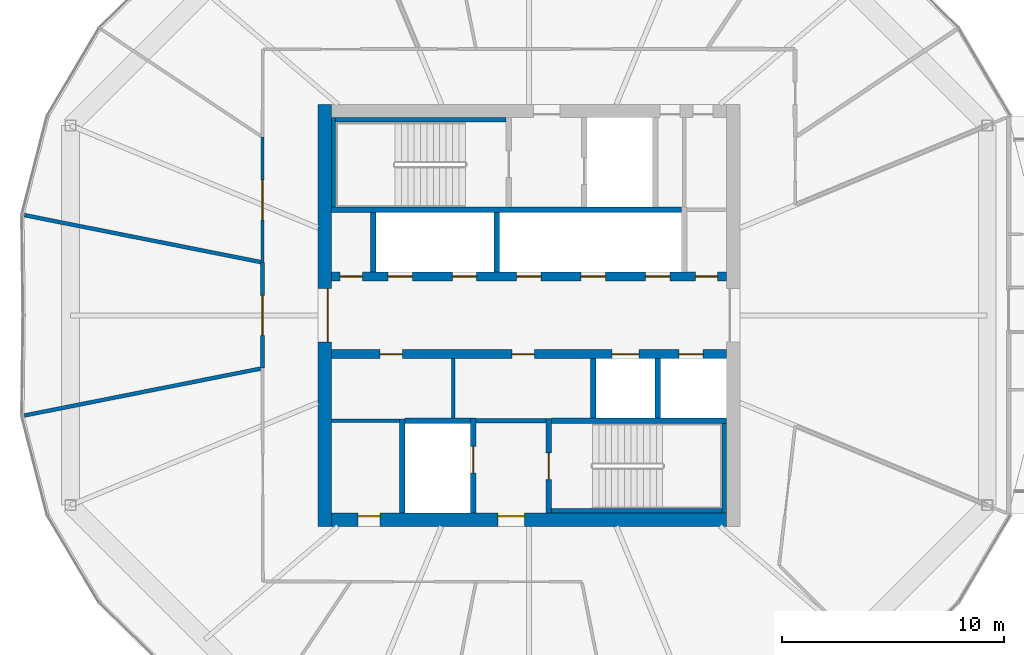
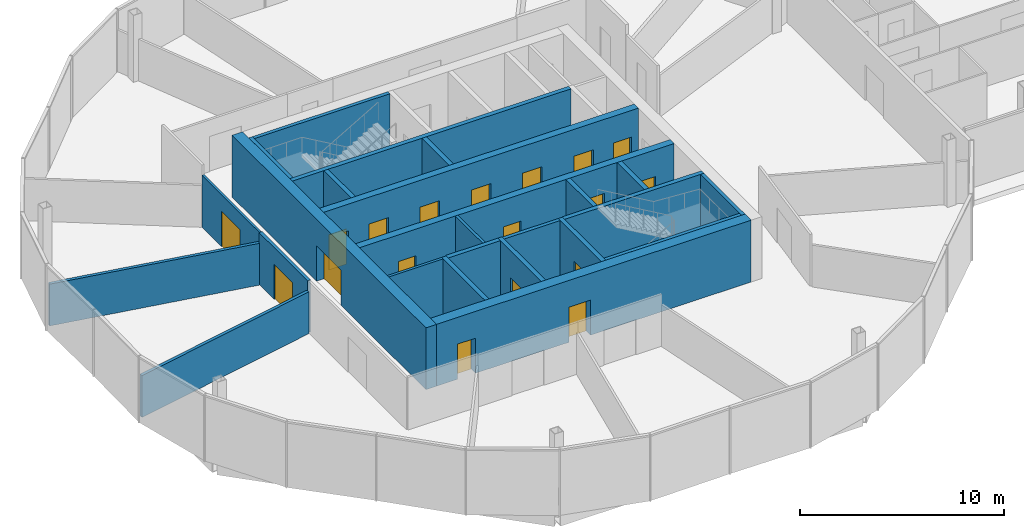
# One storey, part 19 of 25: 25 walls, 18 doors, 18 openings.
"""IFC4 building model written with IfcOpenShell, lengths in metres."""

from ifc_helpers import new_model, si_unit, direction, frame, frame_2d, origin, place, context, subcontext, project, spatial, rectangle, extrude, material, layer, layer_set, type_object, element, fill, save


model = new_model("IFC4")

# Units and contexts
model_context = context("Model", 3, precision=1e-05, world=origin(), true_north=direction((0.0, 1.0)))
body_context = subcontext(model_context, "Body", "Model", "MODEL_VIEW")
ifc_project = project(units=[si_unit("LENGTHUNIT", "METRE"), si_unit("AREAUNIT", "SQUARE_METRE"), si_unit("VOLUMEUNIT", "CUBIC_METRE"), si_unit("PLANEANGLEUNIT", "RADIAN"), si_unit("MASSUNIT", "GRAM", prefix="KILO")], contexts=[model_context])

# Site, building, storey
site_placement = place(None, origin())
site = spatial("IfcSite", under=ifc_project, at=site_placement, CompositionType="ELEMENT")
building_placement = place(site_placement, origin())
building = spatial("IfcBuilding", under=site, at=building_placement, Name="Ogive Gate Towers", CompositionType="ELEMENT")
storey_placement = place(building_placement, frame((0.0, 0.0, 140.800048828125)))
storey = spatial("IfcBuildingStorey", under=building, at=storey_placement, Name="L33", CompositionType="ELEMENT", Elevation=140.800048828125)

# Walls
ifc_material_1 = material(Name="Gypsum board acoustic partition")
ifc_layer_1 = layer(ifc_material_1, 0.175048828125)
ifc_layer_set_1 = layer_set([ifc_layer_1], Name="Acoustic partition 175")
wall_type_1 = type_object("IfcWallType", Name="Acoustic partition 175", PredefinedType="PARTITIONING", material=ifc_layer_set_1)
for number, where, z_axis, x_axis, name in (
    (1, (-58.735595703125, 4.514404296875, 0.0), (0.0, 0.0, 1.0), (0.980852919236, -0.194749970031, 0.0), "Partition T1-L33-007"),
    (2, (-58.735595703125, -4.514404296875, 0.0), (0.0, 0.0, 1.0), (0.980852919236, 0.194749970031, 0.0), "Partition T1-L33-008"),
):
    element("IfcWall", number, at=place(storey_placement, frame(where, z_axis=z_axis, x_axis=x_axis)), inside=storey, type_object=wall_type_1, Name=name, PredefinedType="PARTITIONING", context=body_context, shape_type="SweptSolid", body=[
        extrude(rectangle(XDim=10.861328125, YDim=0.175048828125, at=frame_2d((5.4306640625, 0.0))), origin(), (0.0, 0.0, 1.0), 2.5),
    ])

# Wall, opening, door
wall_1_placement = place(storey_placement, frame((-47.996337890625, 2.382080078125, 0.0), z_axis=(0.0, 0.0, 1.0), x_axis=(0.0, -1.0, 0.0)))
wall_1 = element("IfcWall", 3, at=wall_1_placement, inside=storey, type_object=wall_type_1, Name="Partition T1-L33-022", PredefinedType="PARTITIONING", context=body_context, shape_type="SweptSolid", body=[
    extrude(rectangle(XDim=4.76416015625, YDim=0.175048828125, at=frame_2d((2.382080078125, 0.0))), origin(), (0.0, 0.0, 1.0), 3.099853515625),
])
opening_1_placement = place(wall_1_placement, frame((1.48193359375, 0.0, 0.0)))
opening_1 = element("IfcOpeningElement", 4, at=opening_1_placement, cuts=wall_1, Name="Opening T1-L33-D07", PredefinedType="OPENING", context=body_context, shape_type="SweptSolid", body=[
    extrude(rectangle(XDim=1.800048828125, YDim=2.10009765625, at=frame_2d((0.89990234375, 1.050048828125))), frame((0.0, 0.09765625, 0.0), z_axis=(0.0, -1.0, 0.0), x_axis=(1.0, 0.0, 0.0)), (0.0, 0.0, 1.0), 0.195068359375),
])
ifc_material_2 = material(Name="Timber door", Category="wood")
door_type_1 = type_object("IfcDoorType", Name="Door pair 1800", OperationType="NOTDEFINED", PredefinedType="DOOR", material=ifc_material_2)
door_1_placement = place(opening_1_placement, origin())
door_1 = element("IfcDoor", 5, at=door_1_placement, inside=storey, type_object=door_type_1, Name="Door T1-L33-D07", OperationType="DOUBLE_DOOR_DOUBLE_SWING", OverallHeight=2.10009765625, OverallWidth=1.800048828125, PredefinedType="DOOR", context=body_context, shape_type="SweptSolid", body=[
    extrude(rectangle(XDim=1.800048828125, YDim=2.10009765625, at=frame_2d((0.89990234375, 1.050048828125))), frame((0.0, 0.02490234375, 0.0), z_axis=(0.0, -1.0, 0.0), x_axis=(1.0, 0.0, 0.0)), (0.0, 0.0, 1.0), 0.050048828125),
])
fill(opening_1, door_1)

# Wall
ifc_material_3 = material(Name="Masonry blockwork", Category="masonry")
ifc_layer_2 = layer(ifc_material_3, 0.199951171875)
ifc_layer_set_2 = layer_set([ifc_layer_2], Name="Blockwork wall 200 mm")
wall_type_2 = type_object("IfcWallType", Name="Blockwork wall 200 mm", PredefinedType="PARTITIONING", material=ifc_layer_set_2)
wall_2_placement = place(storey_placement, frame((-38.375, -4.75, 0.0), z_axis=(0.0, 0.0, 1.0), x_axis=(1.0, 0.0, 0.0)))
element("IfcWall", 6, at=wall_2_placement, inside=storey, type_object=wall_type_2, Name="T1 L33 Blockwork wall 200 mm", PredefinedType="PARTITIONING", context=body_context, shape_type="SweptSolid", body=[
    extrude(rectangle(XDim=3.14990234375, YDim=0.199951171875, at=frame_2d((1.574951171875, 0.0))), origin(), (0.0, 0.0, 1.0), 3.699951171875),
])

# Wall, openings, doors
ifc_material_4 = material(Name="Concrete C60/75", Category="concrete")
ifc_layer_3 = layer(ifc_material_4, 0.60009765625)
ifc_layer_set_3 = layer_set([ifc_layer_3], Name="Core wall 600 mm")
wall_type_3 = type_object("IfcWallType", Name="Core wall 600 mm", PredefinedType="SHEAR", material=ifc_layer_set_3)
wall_3_placement = place(storey_placement, frame((-44.89990234375, -9.199951171875, 0.0), z_axis=(0.0, 0.0, 1.0), x_axis=(1.0, 0.0, 0.0)))
wall_3 = element("IfcWall", 7, at=wall_3_placement, inside=storey, type_object=wall_type_3, Name="T1 L33 Core wall 600 mm", PredefinedType="SHEAR", context=body_context, shape_type="SweptSolid", body=[
    extrude(rectangle(XDim=17.7998046875, YDim=0.60009765625, at=frame_2d((8.89990234375, 0.0))), origin(), (0.0, 0.0, 1.0), 3.699951171875),
])
opening_2_placement = place(wall_3_placement, frame((7.5, 0.0, 0.0)))
opening_2 = element("IfcOpeningElement", 8, at=opening_2_placement, cuts=wall_3, Name="Opening KD-T1-L33-19", PredefinedType="OPENING", context=body_context, shape_type="SweptSolid", body=[
    extrude(rectangle(XDim=1.199951171875, YDim=2.10009765625, at=frame_2d((0.60009765625, 1.050048828125))), frame((0.0, 0.31005859375, 0.0), z_axis=(0.0, -1.0, 0.0), x_axis=(1.0, 0.0, 0.0)), (0.0, 0.0, 1.0), 0.6201171875),
])
opening_3_placement = place(wall_3_placement, frame((1.199951171875, 0.0, 0.0)))
opening_3 = element("IfcOpeningElement", 9, at=opening_3_placement, cuts=wall_3, Name="Opening KD-T1-L33-22", PredefinedType="OPENING", context=body_context, shape_type="SweptSolid", body=[
    extrude(rectangle(XDim=1.0, YDim=2.10009765625, at=frame_2d((0.5, 1.050048828125))), frame((0.0, 0.31005859375, 0.0), z_axis=(0.0, -1.0, 0.0), x_axis=(1.0, 0.0, 0.0)), (0.0, 0.0, 1.0), 0.6201171875),
])
door_type_2 = type_object("IfcDoorType", Name="Accessible WC door 1000 x 2100", OperationType="NOTDEFINED", PredefinedType="DOOR", material=ifc_material_2)
door_2_placement = place(opening_3_placement, origin())
door_2 = element("IfcDoor", 10, at=door_2_placement, inside=storey, type_object=door_type_2, Name="T1 L33 Core door", OperationType="SINGLE_SWING_LEFT", OverallHeight=2.10009765625, OverallWidth=1.0, PredefinedType="DOOR", context=body_context, shape_type="SweptSolid", body=[
    extrude(rectangle(XDim=1.0, YDim=2.10009765625, at=frame_2d((0.5, 1.050048828125))), frame((0.0, 0.1748046875, 0.0), z_axis=(0.0, -1.0, 0.0), x_axis=(1.0, 0.0, 0.0)), (0.0, 0.0, 1.0), 0.050048828125),
])
fill(opening_3, door_2)
ifc_material_5 = material(Name="Steel fire door", Category="steel")
door_type_3 = type_object("IfcDoorType", Name="Core door FD60S 1200 x 2100", OperationType="NOTDEFINED", PredefinedType="DOOR", material=ifc_material_5)
door_3_placement = place(opening_2_placement, origin())
door_3 = element("IfcDoor", 11, at=door_3_placement, inside=storey, type_object=door_type_3, Name="T1 L33 Fire-fighting lobby door", OperationType="SINGLE_SWING_RIGHT", OverallHeight=2.10009765625, OverallWidth=1.199951171875, PredefinedType="DOOR", context=body_context, shape_type="SweptSolid", body=[
    extrude(rectangle(XDim=1.199951171875, YDim=2.10009765625, at=frame_2d((0.60009765625, 1.050048828125))), frame((0.0, 0.1748046875, 0.0), z_axis=(0.0, -1.0, 0.0), x_axis=(1.0, 0.0, 0.0)), (0.0, 0.0, 1.0), 0.050048828125),
])
fill(opening_2, door_3)

# Wall, opening, door
wall_4_placement = place(storey_placement, frame((-45.199951171875, -9.5, 0.0), z_axis=(0.0, 0.0, 1.0), x_axis=(0.0, 1.0, 0.0)))
wall_4 = element("IfcWall", 12, at=wall_4_placement, inside=storey, type_object=wall_type_3, Name="T1 L33 Core wall 600 mm", PredefinedType="SHEAR", context=body_context, shape_type="SweptSolid", body=[
    extrude(rectangle(XDim=19.0, YDim=0.60009765625, at=frame_2d((9.5, 0.0))), origin(), (0.0, 0.0, 1.0), 3.699951171875),
])
opening_4_placement = place(wall_4_placement, frame((8.300048828125, 0.0, 0.0)))
opening_4 = element("IfcOpeningElement", 13, at=opening_4_placement, cuts=wall_4, Name="Opening KD-T1-L33-01", PredefinedType="OPENING", context=body_context, shape_type="SweptSolid", body=[
    extrude(rectangle(XDim=2.39990234375, YDim=2.10009765625, at=frame_2d((1.199951171875, 1.050048828125))), frame((0.0, 0.31005859375, 0.0), z_axis=(0.0, -1.0, 0.0), x_axis=(1.0, 0.0, 0.0)), (0.0, 0.0, 1.0), 0.6201171875),
])
door_type_4 = type_object("IfcDoorType", Name="Core double door FD60S 2400 x 2100", OperationType="DOUBLE_DOOR_SINGLE_SWING", PredefinedType="DOOR", material=ifc_material_5)
door_4_placement = place(opening_4_placement, origin())
door_4 = element("IfcDoor", 14, at=door_4_placement, inside=storey, type_object=door_type_4, Name="T1 L33 Core door double", OperationType="DOUBLE_DOOR_SINGLE_SWING", OverallHeight=2.10009765625, OverallWidth=2.39990234375, PredefinedType="DOOR", context=body_context, shape_type="SweptSolid", body=[
    extrude(rectangle(XDim=2.39990234375, YDim=2.10009765625, at=frame_2d((1.199951171875, 1.050048828125))), frame((0.0, -0.125, 0.0), z_axis=(0.0, -1.0, 0.0), x_axis=(1.0, 0.0, 0.0)), (0.0, 0.0, 1.0), 0.050048828125),
])
fill(opening_4, door_4)

ifc_material_6 = material(Name="Gypsum board partition")
ifc_layer_4 = layer(ifc_material_6, 0.125)
ifc_layer_set_4 = layer_set([ifc_layer_4], Name="Partition 125")
wall_type_4 = type_object("IfcWallType", Name="Partition 125", PredefinedType="PARTITIONING", material=ifc_layer_set_4)
wall_5_placement = place(storey_placement, frame((-47.995849609375, 8.021240234375, 0.0), z_axis=(0.0, 0.0, 1.0), x_axis=(-8.6587583e-05, -0.999999996251, 0.0)))
wall_5 = element("IfcWall", 15, at=wall_5_placement, inside=storey, type_object=wall_type_4, Name="Partition T1-L33-021", PredefinedType="PARTITIONING", context=body_context, shape_type="SweptSolid", body=[
    extrude(rectangle(XDim=5.63916015625, YDim=0.125, at=frame_2d((2.819580078125, 0.0))), origin(), (0.0, 0.0, 1.0), 3.099853515625),
])
opening_5_placement = place(wall_5_placement, frame((1.919921875, 0.0, 0.0)))
opening_5 = element("IfcOpeningElement", 16, at=opening_5_placement, cuts=wall_5, Name="Opening T1-L33-D06", PredefinedType="OPENING", context=body_context, shape_type="SweptSolid", body=[
    extrude(rectangle(XDim=1.800048828125, YDim=2.10009765625, at=frame_2d((0.89990234375, 1.050048828125))), frame((0.0, 0.072509765625, 0.0), z_axis=(0.0, -1.0, 0.0), x_axis=(1.0, 0.0, 0.0)), (0.0, 0.0, 1.0), 0.14501953125),
])
door_5_placement = place(opening_5_placement, origin())
door_5 = element("IfcDoor", 17, at=door_5_placement, inside=storey, type_object=door_type_1, Name="Door T1-L33-D06", OperationType="DOUBLE_DOOR_DOUBLE_SWING", OverallHeight=2.10009765625, OverallWidth=1.800048828125, PredefinedType="DOOR", context=body_context, shape_type="SweptSolid", body=[
    extrude(rectangle(XDim=1.800048828125, YDim=2.10009765625, at=frame_2d((0.89990234375, 1.050048828125))), frame((0.0, 0.02490234375, 0.0), z_axis=(0.0, -1.0, 0.0), x_axis=(1.0, 0.0, 0.0)), (0.0, 0.0, 1.0), 0.050048828125),
])
fill(opening_5, door_5)

# Walls
ifc_layer_5 = layer(ifc_material_6, 0.14990234375)
ifc_layer_set_5 = layer_set([ifc_layer_5], Name="Room partition 150 mm")
wall_type_5 = type_object("IfcWallType", Name="Room partition 150 mm", PredefinedType="PARTITIONING", material=ifc_layer_set_5)
wall_6_placement = place(storey_placement, frame((-44.89990234375, -4.75, 0.0), z_axis=(0.0, 0.0, 1.0), x_axis=(1.0, 0.0, 0.0)))
element("IfcWall", 18, at=wall_6_placement, inside=storey, type_object=wall_type_5, Name="T1 L33 Room partition 150 mm", PredefinedType="PARTITIONING", context=body_context, shape_type="SweptSolid", body=[
    extrude(rectangle(XDim=3.074951171875, YDim=0.14990234375, at=frame_2d((1.53759765625, 0.0))), origin(), (0.0, 0.0, 1.0), 3.699951171875),
])
wall_7_placement = place(storey_placement, frame((-39.39990234375, -4.625, 0.0), z_axis=(0.0, 0.0, 1.0), x_axis=(0.0, 1.0, 0.0)))
element("IfcWall", 19, at=wall_7_placement, inside=storey, type_object=wall_type_5, Name="T1 L33 Room partition 150 mm", PredefinedType="PARTITIONING", context=body_context, shape_type="SweptSolid", body=[
    extrude(rectangle(XDim=2.675048828125, YDim=0.14990234375, at=frame_2d((1.33740234375, 0.0))), origin(), (0.0, 0.0, 1.0), 3.699951171875),
])
ifc_layer_6 = layer(ifc_material_4, 0.25)
ifc_layer_set_6 = layer_set([ifc_layer_6], Name="Shaft wall 250 mm")
wall_type_6 = type_object("IfcWallType", Name="Shaft wall 250 mm", PredefinedType="SHEAR", material=ifc_layer_set_6)
wall_8_placement = place(storey_placement, frame((-41.574951171875, -4.75, 0.0), z_axis=(0.0, 0.0, 1.0), x_axis=(1.0, 0.0, 0.0)))
element("IfcWall", 20, at=wall_8_placement, inside=storey, type_object=wall_type_6, Name="T1 L33 Shaft wall 250 mm", PredefinedType="SHEAR", context=body_context, shape_type="SweptSolid", body=[
    extrude(rectangle(XDim=2.949951171875, YDim=0.25, at=frame_2d((1.47509765625, 0.0))), origin(), (0.0, 0.0, 1.0), 3.699951171875),
])
wall_9_placement = place(storey_placement, frame((-34.97509765625, -4.75, 0.0), z_axis=(0.0, 0.0, 1.0), x_axis=(1.0, 0.0, 0.0)))
element("IfcWall", 21, at=wall_9_placement, inside=storey, type_object=wall_type_6, Name="T1 L33 Shaft wall 250 mm", PredefinedType="SHEAR", context=body_context, shape_type="SweptSolid", body=[
    extrude(rectangle(XDim=7.875, YDim=0.25, at=frame_2d((3.9375, 0.0))), origin(), (0.0, 0.0, 1.0), 3.699951171875),
])
wall_10_placement = place(storey_placement, frame((-44.89990234375, 4.75, 0.0), z_axis=(0.0, 0.0, 1.0), x_axis=(1.0, 0.0, 0.0)))
element("IfcWall", 22, at=wall_10_placement, inside=storey, type_object=wall_type_6, Name="T1 L33 Shaft wall 250 mm", PredefinedType="SHEAR", context=body_context, shape_type="SweptSolid", body=[
    extrude(rectangle(XDim=15.77490234375, YDim=0.25, at=frame_2d((7.887451171875, 0.0))), origin(), (0.0, 0.0, 1.0), 3.699951171875),
])
wall_11_placement = place(storey_placement, frame((-43.0, 1.949951171875, 0.0), z_axis=(0.0, 0.0, 1.0), x_axis=(0.0, 1.0, 0.0)))
element("IfcWall", 23, at=wall_11_placement, inside=storey, type_object=wall_type_6, Name="T1 L33 Shaft wall 250 mm", PredefinedType="SHEAR", context=body_context, shape_type="SweptSolid", body=[
    extrude(rectangle(XDim=2.675048828125, YDim=0.25, at=frame_2d((1.33740234375, 0.0))), origin(), (0.0, 0.0, 1.0), 3.699951171875),
])
wall_12_placement = place(storey_placement, frame((-41.699951171875, -8.89990234375, 0.0), z_axis=(0.0, 0.0, 1.0), x_axis=(0.0, 1.0, 0.0)))
element("IfcWall", 24, at=wall_12_placement, inside=storey, type_object=wall_type_6, Name="T1 L33 Shaft wall 250 mm", PredefinedType="SHEAR", context=body_context, shape_type="SweptSolid", body=[
    extrude(rectangle(XDim=4.224853515625, YDim=0.25, at=frame_2d((2.1123046875, 0.0))), origin(), (0.0, 0.0, 1.0), 3.699951171875),
])

# Wall, opening, door
wall_13_placement = place(storey_placement, frame((-38.5, -8.89990234375, 0.0), z_axis=(0.0, 0.0, 1.0), x_axis=(0.0, 1.0, 0.0)))
wall_13 = element("IfcWall", 25, at=wall_13_placement, inside=storey, type_object=wall_type_6, Name="T1 L33 Shaft wall 250 mm", PredefinedType="SHEAR", context=body_context, shape_type="SweptSolid", body=[
    extrude(rectangle(XDim=4.27490234375, YDim=0.25, at=frame_2d((2.137451171875, 0.0))), origin(), (0.0, 0.0, 1.0), 3.699951171875),
])
opening_6_placement = place(wall_13_placement, frame((1.800048828125, 0.0, 0.0)))
opening_6 = element("IfcOpeningElement", 26, at=opening_6_placement, cuts=wall_13, Name="Opening LD-T1-L33-13", PredefinedType="OPENING", context=body_context, shape_type="SweptSolid", body=[
    extrude(rectangle(XDim=1.199951171875, YDim=2.10009765625, at=frame_2d((0.60009765625, 1.050048828125))), frame((0.0, 0.135009765625, 0.0), z_axis=(0.0, -1.0, 0.0), x_axis=(1.0, 0.0, 0.0)), (0.0, 0.0, 1.0), 0.27001953125),
])
ifc_material_7 = material(Name="Stainless steel landing door", Category="steel")
door_type_5 = type_object("IfcDoorType", Name="Landing door 1200 x 2100", OperationType="SLIDING_TO_LEFT", PredefinedType="DOOR", material=ifc_material_7)
door_6_placement = place(opening_6_placement, origin())
door_6 = element("IfcDoor", 27, at=door_6_placement, inside=storey, type_object=door_type_5, Name="T1 L33 Lift landing door FF2", OperationType="SLIDING_TO_LEFT", OverallHeight=2.10009765625, OverallWidth=1.199951171875, PredefinedType="DOOR", context=body_context, shape_type="SweptSolid", body=[
    extrude(rectangle(XDim=1.199951171875, YDim=2.10009765625, at=frame_2d((0.60009765625, 1.050048828125))), frame((0.0, 0.02490234375, 0.0), z_axis=(0.0, -1.0, 0.0), x_axis=(1.0, 0.0, 0.0)), (0.0, 0.0, 1.0), 0.050048828125),
])
fill(opening_6, door_6)

# Wall
wall_14_placement = place(storey_placement, frame((-37.449951171875, 1.949951171875, 0.0), z_axis=(0.0, 0.0, 1.0), x_axis=(0.0, 1.0, 0.0)))
element("IfcWall", 28, at=wall_14_placement, inside=storey, type_object=wall_type_6, Name="T1 L33 Shaft wall 250 mm", PredefinedType="SHEAR", context=body_context, shape_type="SweptSolid", body=[
    extrude(rectangle(XDim=2.675048828125, YDim=0.25, at=frame_2d((1.33740234375, 0.0))), origin(), (0.0, 0.0, 1.0), 3.699951171875),
])

# Wall, opening, door
wall_15_placement = place(storey_placement, frame((-35.10009765625, -8.89990234375, 0.0), z_axis=(0.0, 0.0, 1.0), x_axis=(0.0, 1.0, 0.0)))
wall_15 = element("IfcWall", 29, at=wall_15_placement, inside=storey, type_object=wall_type_6, Name="T1 L33 Shaft wall 250 mm", PredefinedType="SHEAR", context=body_context, shape_type="SweptSolid", body=[
    extrude(rectangle(XDim=4.25, YDim=0.25, at=frame_2d((2.125, 0.0))), origin(), (0.0, 0.0, 1.0), 3.699951171875),
])
opening_7_placement = place(wall_15_placement, frame((1.5, 0.0, 0.0)))
opening_7 = element("IfcOpeningElement", 30, at=opening_7_placement, cuts=wall_15, Name="Opening KD-T1-L33-17", PredefinedType="OPENING", context=body_context, shape_type="SweptSolid", body=[
    extrude(rectangle(XDim=1.199951171875, YDim=2.10009765625, at=frame_2d((0.60009765625, 1.050048828125))), frame((0.0, 0.135009765625, 0.0), z_axis=(0.0, -1.0, 0.0), x_axis=(1.0, 0.0, 0.0)), (0.0, 0.0, 1.0), 0.27001953125),
])
door_7_placement = place(opening_7_placement, origin())
door_7 = element("IfcDoor", 31, at=door_7_placement, inside=storey, type_object=door_type_3, Name="T1 L33 Stair door", OperationType="SINGLE_SWING_RIGHT", OverallHeight=2.10009765625, OverallWidth=1.199951171875, PredefinedType="DOOR", context=body_context, shape_type="SweptSolid", body=[
    extrude(rectangle(XDim=1.199951171875, YDim=2.10009765625, at=frame_2d((0.60009765625, 1.050048828125))), frame((0.0, 0.02490234375, 0.0), z_axis=(0.0, -1.0, 0.0), x_axis=(1.0, 0.0, 0.0)), (0.0, 0.0, 1.0), 0.050048828125),
])
fill(opening_7, door_7)

# Walls
for number, where, z_axis, x_axis, name in (
    (32, (-33.10009765625, -4.625, 0.0), (0.0, 0.0, 1.0), (0.0, 1.0, 0.0), "T1 L33 Shaft wall 250 mm"),
    (33, (-30.199951171875, -4.625, 0.0), (0.0, 0.0, 1.0), (0.0, 1.0, 0.0), "T1 L33 Shaft wall 250 mm"),
):
    element("IfcWall", number, at=place(storey_placement, frame(where, z_axis=z_axis, x_axis=x_axis)), inside=storey, type_object=wall_type_6, Name=name, PredefinedType="SHEAR", context=body_context, shape_type="SweptSolid", body=[
        extrude(rectangle(XDim=2.675048828125, YDim=0.25, at=frame_2d((1.33740234375, 0.0))), origin(), (0.0, 0.0, 1.0), 3.699951171875),
    ])

# Wall, openings, doors
ifc_layer_7 = layer(ifc_material_4, 0.39990234375)
ifc_layer_set_7 = layer_set([ifc_layer_7], Name="Spine wall 400 mm")
wall_type_7 = type_object("IfcWallType", Name="Spine wall 400 mm", PredefinedType="SHEAR", material=ifc_layer_set_7)
wall_16_placement = place(storey_placement, frame((-44.89990234375, -1.75, 0.0), z_axis=(0.0, 0.0, 1.0), x_axis=(1.0, 0.0, 0.0)))
wall_16 = element("IfcWall", 34, at=wall_16_placement, inside=storey, type_object=wall_type_7, Name="T1 L33 Spine wall 400 mm", PredefinedType="SHEAR", context=body_context, shape_type="SweptSolid", body=[
    extrude(rectangle(XDim=17.7998046875, YDim=0.39990234375, at=frame_2d((8.89990234375, 0.0))), origin(), (0.0, 0.0, 1.0), 3.699951171875),
])
opening_8_placement = place(wall_16_placement, frame((12.64990234375, 0.0, 0.0)))
opening_8 = element("IfcOpeningElement", 35, at=opening_8_placement, cuts=wall_16, Name="Opening LD-T1-L33-10", PredefinedType="OPENING", context=body_context, shape_type="SweptSolid", body=[
    extrude(rectangle(XDim=1.199951171875, YDim=2.10009765625, at=frame_2d((0.60009765625, 1.050048828125))), frame((0.0, 0.2099609375, 0.0), z_axis=(0.0, -1.0, 0.0), x_axis=(1.0, 0.0, 0.0)), (0.0, 0.0, 1.0), 0.419921875),
])
opening_9_placement = place(wall_16_placement, frame((15.64990234375, 0.0, 0.0)))
opening_9 = element("IfcOpeningElement", 36, at=opening_9_placement, cuts=wall_16, Name="Opening LD-T1-L33-11", PredefinedType="OPENING", context=body_context, shape_type="SweptSolid", body=[
    extrude(rectangle(XDim=1.10009765625, YDim=2.10009765625, at=frame_2d((0.550048828125, 1.050048828125))), frame((0.0, 0.2099609375, 0.0), z_axis=(0.0, -1.0, 0.0), x_axis=(1.0, 0.0, 0.0)), (0.0, 0.0, 1.0), 0.419921875),
])
opening_10_placement = place(wall_16_placement, frame((2.199951171875, 0.0, 0.0)))
opening_10 = element("IfcOpeningElement", 37, at=opening_10_placement, cuts=wall_16, Name="Opening KD-T1-L33-14", PredefinedType="OPENING", context=body_context, shape_type="SweptSolid", body=[
    extrude(rectangle(XDim=1.0, YDim=2.10009765625, at=frame_2d((0.5, 1.050048828125))), frame((0.0, 0.2099609375, 0.0), z_axis=(0.0, -1.0, 0.0), x_axis=(1.0, 0.0, 0.0)), (0.0, 0.0, 1.0), 0.419921875),
])
opening_11_placement = place(wall_16_placement, frame((8.14990234375, 0.0, 0.0)))
opening_11 = element("IfcOpeningElement", 38, at=opening_11_placement, cuts=wall_16, Name="Opening KD-T1-L33-15", PredefinedType="OPENING", context=body_context, shape_type="SweptSolid", body=[
    extrude(rectangle(XDim=1.0, YDim=2.10009765625, at=frame_2d((0.5, 1.050048828125))), frame((0.0, 0.2099609375, 0.0), z_axis=(0.0, -1.0, 0.0), x_axis=(1.0, 0.0, 0.0)), (0.0, 0.0, 1.0), 0.419921875),
])
door_type_6 = type_object("IfcDoorType", Name="Core door FD60S 1000 x 2100", OperationType="NOTDEFINED", PredefinedType="DOOR", material=ifc_material_5)
door_8_placement = place(opening_10_placement, origin())
door_8 = element("IfcDoor", 39, at=door_8_placement, inside=storey, type_object=door_type_6, Name="T1 L33 Core door", OperationType="SINGLE_SWING_LEFT", OverallHeight=2.10009765625, OverallWidth=1.0, PredefinedType="DOOR", context=body_context, shape_type="SweptSolid", body=[
    extrude(rectangle(XDim=1.0, YDim=2.10009765625, at=frame_2d((0.5, 1.050048828125))), frame((0.0, 0.02490234375, 0.0), z_axis=(0.0, -1.0, 0.0), x_axis=(1.0, 0.0, 0.0)), (0.0, 0.0, 1.0), 0.050048828125),
])
fill(opening_10, door_8)
door_9_placement = place(opening_11_placement, origin())
door_9 = element("IfcDoor", 40, at=door_9_placement, inside=storey, type_object=door_type_6, Name="T1 L33 Core door", OperationType="SINGLE_SWING_RIGHT", OverallHeight=2.10009765625, OverallWidth=1.0, PredefinedType="DOOR", context=body_context, shape_type="SweptSolid", body=[
    extrude(rectangle(XDim=1.0, YDim=2.10009765625, at=frame_2d((0.5, 1.050048828125))), frame((0.0, 0.02490234375, 0.0), z_axis=(0.0, -1.0, 0.0), x_axis=(1.0, 0.0, 0.0)), (0.0, 0.0, 1.0), 0.050048828125),
])
fill(opening_11, door_9)
door_type_7 = type_object("IfcDoorType", Name="Landing door 1100 x 2100", OperationType="SLIDING_TO_LEFT", PredefinedType="DOOR", material=ifc_material_7)
door_10_placement = place(opening_9_placement, origin())
door_10 = element("IfcDoor", 41, at=door_10_placement, inside=storey, type_object=door_type_7, Name="T1 L33 Lift landing door B6", OperationType="SLIDING_TO_LEFT", OverallHeight=2.10009765625, OverallWidth=1.10009765625, PredefinedType="DOOR", context=body_context, shape_type="SweptSolid", body=[
    extrude(rectangle(XDim=1.10009765625, YDim=2.10009765625, at=frame_2d((0.550048828125, 1.050048828125))), frame((0.0, 0.02490234375, 0.0), z_axis=(0.0, -1.0, 0.0), x_axis=(1.0, 0.0, 0.0)), (0.0, 0.0, 1.0), 0.050048828125),
])
fill(opening_9, door_10)
door_11_placement = place(opening_8_placement, origin())
door_11 = element("IfcDoor", 42, at=door_11_placement, inside=storey, type_object=door_type_5, Name="T1 L33 Lift landing door SVC", OperationType="SLIDING_TO_LEFT", OverallHeight=2.10009765625, OverallWidth=1.199951171875, PredefinedType="DOOR", context=body_context, shape_type="SweptSolid", body=[
    extrude(rectangle(XDim=1.199951171875, YDim=2.10009765625, at=frame_2d((0.60009765625, 1.050048828125))), frame((0.0, 0.02490234375, 0.0), z_axis=(0.0, -1.0, 0.0), x_axis=(1.0, 0.0, 0.0)), (0.0, 0.0, 1.0), 0.050048828125),
])
fill(opening_8, door_11)

wall_17_placement = place(storey_placement, frame((-44.89990234375, 1.75, 0.0), z_axis=(0.0, 0.0, 1.0), x_axis=(1.0, 0.0, 0.0)))
wall_17 = element("IfcWall", 43, at=wall_17_placement, inside=storey, type_object=wall_type_7, Name="T1 L33 Spine wall 400 mm", PredefinedType="SHEAR", context=body_context, shape_type="SweptSolid", body=[
    extrude(rectangle(XDim=17.7998046875, YDim=0.39990234375, at=frame_2d((8.89990234375, 0.0))), origin(), (0.0, 0.0, 1.0), 3.699951171875),
])
opening_12_placement = place(wall_17_placement, frame((0.39990234375, 0.0, 0.0)))
opening_12 = element("IfcOpeningElement", 44, at=opening_12_placement, cuts=wall_17, Name="Opening KD-T1-L33-03", PredefinedType="OPENING", context=body_context, shape_type="SweptSolid", body=[
    extrude(rectangle(XDim=1.0, YDim=2.10009765625, at=frame_2d((0.5, 1.050048828125))), frame((0.0, 0.2099609375, 0.0), z_axis=(0.0, -1.0, 0.0), x_axis=(1.0, 0.0, 0.0)), (0.0, 0.0, 1.0), 0.419921875),
])
opening_13_placement = place(wall_17_placement, frame((2.550048828125, 0.0, 0.0)))
opening_13 = element("IfcOpeningElement", 45, at=opening_13_placement, cuts=wall_17, Name="Opening LD-T1-L33-04", PredefinedType="OPENING", context=body_context, shape_type="SweptSolid", body=[
    extrude(rectangle(XDim=1.10009765625, YDim=2.10009765625, at=frame_2d((0.550048828125, 1.050048828125))), frame((0.0, 0.2099609375, 0.0), z_axis=(0.0, -1.0, 0.0), x_axis=(1.0, 0.0, 0.0)), (0.0, 0.0, 1.0), 0.419921875),
])
opening_14_placement = place(wall_17_placement, frame((5.449951171875, 0.0, 0.0)))
opening_14 = element("IfcOpeningElement", 46, at=opening_14_placement, cuts=wall_17, Name="Opening LD-T1-L33-05", PredefinedType="OPENING", context=body_context, shape_type="SweptSolid", body=[
    extrude(rectangle(XDim=1.10009765625, YDim=2.10009765625, at=frame_2d((0.550048828125, 1.050048828125))), frame((0.0, 0.2099609375, 0.0), z_axis=(0.0, -1.0, 0.0), x_axis=(1.0, 0.0, 0.0)), (0.0, 0.0, 1.0), 0.419921875),
])
opening_15_placement = place(wall_17_placement, frame((8.35009765625, 0.0, 0.0)))
opening_15 = element("IfcOpeningElement", 47, at=opening_15_placement, cuts=wall_17, Name="Opening LD-T1-L33-06", PredefinedType="OPENING", context=body_context, shape_type="SweptSolid", body=[
    extrude(rectangle(XDim=1.10009765625, YDim=2.10009765625, at=frame_2d((0.550048828125, 1.050048828125))), frame((0.0, 0.2099609375, 0.0), z_axis=(0.0, -1.0, 0.0), x_axis=(1.0, 0.0, 0.0)), (0.0, 0.0, 1.0), 0.419921875),
])
opening_16_placement = place(wall_17_placement, frame((11.25, 0.0, 0.0)))
opening_16 = element("IfcOpeningElement", 48, at=opening_16_placement, cuts=wall_17, Name="Opening LD-T1-L33-07", PredefinedType="OPENING", context=body_context, shape_type="SweptSolid", body=[
    extrude(rectangle(XDim=1.10009765625, YDim=2.10009765625, at=frame_2d((0.550048828125, 1.050048828125))), frame((0.0, 0.2099609375, 0.0), z_axis=(0.0, -1.0, 0.0), x_axis=(1.0, 0.0, 0.0)), (0.0, 0.0, 1.0), 0.419921875),
])
opening_17_placement = place(wall_17_placement, frame((14.14990234375, 0.0, 0.0)))
opening_17 = element("IfcOpeningElement", 49, at=opening_17_placement, cuts=wall_17, Name="Opening LD-T1-L33-08", PredefinedType="OPENING", context=body_context, shape_type="SweptSolid", body=[
    extrude(rectangle(XDim=1.10009765625, YDim=2.10009765625, at=frame_2d((0.550048828125, 1.050048828125))), frame((0.0, 0.2099609375, 0.0), z_axis=(0.0, -1.0, 0.0), x_axis=(1.0, 0.0, 0.0)), (0.0, 0.0, 1.0), 0.419921875),
])
opening_18_placement = place(wall_17_placement, frame((16.39990234375, 0.0, 0.0)))
opening_18 = element("IfcOpeningElement", 50, at=opening_18_placement, cuts=wall_17, Name="Opening KD-T1-L33-09", PredefinedType="OPENING", context=body_context, shape_type="SweptSolid", body=[
    extrude(rectangle(XDim=1.0, YDim=2.10009765625, at=frame_2d((0.5, 1.050048828125))), frame((0.0, 0.2099609375, 0.0), z_axis=(0.0, -1.0, 0.0), x_axis=(1.0, 0.0, 0.0)), (0.0, 0.0, 1.0), 0.419921875),
])
door_12_placement = place(opening_12_placement, origin())
door_12 = element("IfcDoor", 51, at=door_12_placement, inside=storey, type_object=door_type_6, Name="T1 L33 Core door", OperationType="SINGLE_SWING_RIGHT", OverallHeight=2.10009765625, OverallWidth=1.0, PredefinedType="DOOR", context=body_context, shape_type="SweptSolid", body=[
    extrude(rectangle(XDim=1.0, YDim=2.10009765625, at=frame_2d((0.5, 1.050048828125))), frame((0.0, 0.02490234375, 0.0), z_axis=(0.0, -1.0, 0.0), x_axis=(1.0, 0.0, 0.0)), (0.0, 0.0, 1.0), 0.050048828125),
])
fill(opening_12, door_12)
door_13_placement = place(opening_18_placement, origin())
door_13 = element("IfcDoor", 52, at=door_13_placement, inside=storey, type_object=door_type_6, Name="T1 L33 Core door", OperationType="SINGLE_SWING_RIGHT", OverallHeight=2.10009765625, OverallWidth=1.0, PredefinedType="DOOR", context=body_context, shape_type="SweptSolid", body=[
    extrude(rectangle(XDim=1.0, YDim=2.10009765625, at=frame_2d((0.5, 1.050048828125))), frame((0.0, 0.02490234375, 0.0), z_axis=(0.0, -1.0, 0.0), x_axis=(1.0, 0.0, 0.0)), (0.0, 0.0, 1.0), 0.050048828125),
])
fill(opening_18, door_13)
door_14_placement = place(opening_13_placement, origin())
door_14 = element("IfcDoor", 53, at=door_14_placement, inside=storey, type_object=door_type_7, Name="T1 L33 Lift landing door B1", OperationType="SLIDING_TO_LEFT", OverallHeight=2.10009765625, OverallWidth=1.10009765625, PredefinedType="DOOR", context=body_context, shape_type="SweptSolid", body=[
    extrude(rectangle(XDim=1.10009765625, YDim=2.10009765625, at=frame_2d((0.550048828125, 1.050048828125))), frame((0.0, 0.02490234375, 0.0), z_axis=(0.0, -1.0, 0.0), x_axis=(1.0, 0.0, 0.0)), (0.0, 0.0, 1.0), 0.050048828125),
])
fill(opening_13, door_14)
door_15_placement = place(opening_14_placement, origin())
door_15 = element("IfcDoor", 54, at=door_15_placement, inside=storey, type_object=door_type_7, Name="T1 L33 Lift landing door B2", OperationType="SLIDING_TO_LEFT", OverallHeight=2.10009765625, OverallWidth=1.10009765625, PredefinedType="DOOR", context=body_context, shape_type="SweptSolid", body=[
    extrude(rectangle(XDim=1.10009765625, YDim=2.10009765625, at=frame_2d((0.550048828125, 1.050048828125))), frame((0.0, 0.02490234375, 0.0), z_axis=(0.0, -1.0, 0.0), x_axis=(1.0, 0.0, 0.0)), (0.0, 0.0, 1.0), 0.050048828125),
])
fill(opening_14, door_15)
door_16_placement = place(opening_15_placement, origin())
door_16 = element("IfcDoor", 55, at=door_16_placement, inside=storey, type_object=door_type_7, Name="T1 L33 Lift landing door B3", OperationType="SLIDING_TO_LEFT", OverallHeight=2.10009765625, OverallWidth=1.10009765625, PredefinedType="DOOR", context=body_context, shape_type="SweptSolid", body=[
    extrude(rectangle(XDim=1.10009765625, YDim=2.10009765625, at=frame_2d((0.550048828125, 1.050048828125))), frame((0.0, 0.02490234375, 0.0), z_axis=(0.0, -1.0, 0.0), x_axis=(1.0, 0.0, 0.0)), (0.0, 0.0, 1.0), 0.050048828125),
])
fill(opening_15, door_16)
door_17_placement = place(opening_16_placement, origin())
door_17 = element("IfcDoor", 56, at=door_17_placement, inside=storey, type_object=door_type_7, Name="T1 L33 Lift landing door B4", OperationType="SLIDING_TO_LEFT", OverallHeight=2.10009765625, OverallWidth=1.10009765625, PredefinedType="DOOR", context=body_context, shape_type="SweptSolid", body=[
    extrude(rectangle(XDim=1.10009765625, YDim=2.10009765625, at=frame_2d((0.550048828125, 1.050048828125))), frame((0.0, 0.02490234375, 0.0), z_axis=(0.0, -1.0, 0.0), x_axis=(1.0, 0.0, 0.0)), (0.0, 0.0, 1.0), 0.050048828125),
])
fill(opening_16, door_17)
door_18_placement = place(opening_17_placement, origin())
door_18 = element("IfcDoor", 57, at=door_18_placement, inside=storey, type_object=door_type_7, Name="T1 L33 Lift landing door B5", OperationType="SLIDING_TO_LEFT", OverallHeight=2.10009765625, OverallWidth=1.10009765625, PredefinedType="DOOR", context=body_context, shape_type="SweptSolid", body=[
    extrude(rectangle(XDim=1.10009765625, YDim=2.10009765625, at=frame_2d((0.550048828125, 1.050048828125))), frame((0.0, 0.02490234375, 0.0), z_axis=(0.0, -1.0, 0.0), x_axis=(1.0, 0.0, 0.0)), (0.0, 0.0, 1.0), 0.050048828125),
])
fill(opening_17, door_18)

# Walls
ifc_layer_8 = layer(ifc_material_4, 0.199951171875)
ifc_layer_set_8 = layer_set([ifc_layer_8], Name="Stair wall 200 mm")
wall_type_8 = type_object("IfcWallType", Name="Stair wall 200 mm", PredefinedType="SHEAR", material=ifc_layer_set_8)
for number, where, z_axis, x_axis, name in (
    (58, (-34.97509765625, -8.800048828125, 0.0), (0.0, 0.0, 1.0), (1.0, 0.0, 0.0), "T1 L33 Stair wall 200 mm"),
    (59, (-44.699951171875, 8.800048828125, 0.0), (0.0, 0.0, 1.0), (1.0, 0.0, 0.0), "T1 L33 Stair wall 200 mm"),
):
    element("IfcWall", number, at=place(storey_placement, frame(where, z_axis=z_axis, x_axis=x_axis)), inside=storey, type_object=wall_type_8, Name=name, PredefinedType="SHEAR", context=body_context, shape_type="SweptSolid", body=[
        extrude(rectangle(XDim=7.675048828125, YDim=0.199951171875, at=frame_2d((3.83740234375, 0.0))), origin(), (0.0, 0.0, 1.0), 3.699951171875),
    ])
for number, where, z_axis, x_axis, name in (
    (60, (-44.800048828125, 4.875, 0.0), (0.0, 0.0, 1.0), (0.0, 1.0, 0.0), "T1 L33 Stair wall 200 mm"),
    (61, (-27.199951171875, -8.89990234375, 0.0), (0.0, 0.0, 1.0), (0.0, 1.0, 0.0), "T1 L33 Stair wall 200 mm"),
):
    element("IfcWall", number, at=place(storey_placement, frame(where, z_axis=z_axis, x_axis=x_axis)), inside=storey, type_object=wall_type_8, Name=name, PredefinedType="SHEAR", context=body_context, shape_type="SweptSolid", body=[
        extrude(rectangle(XDim=4.02490234375, YDim=0.199951171875, at=frame_2d((2.012451171875, 0.0))), origin(), (0.0, 0.0, 1.0), 3.699951171875),
    ])

save(model, "model.ifc")
